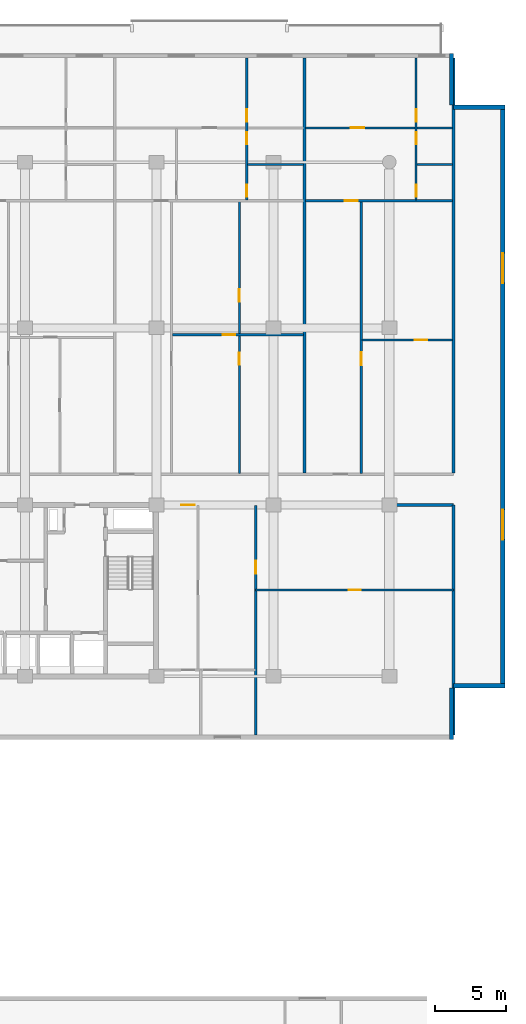
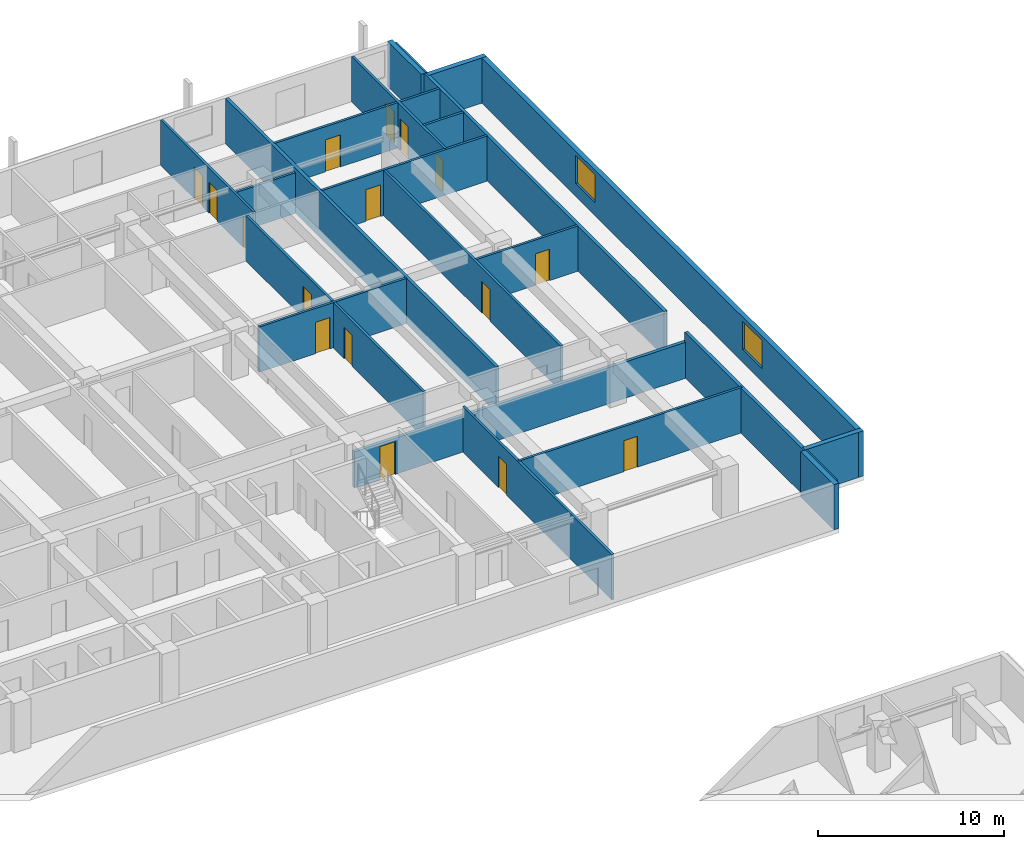
# One storey, part 17 of 23: 21 walls, 16 doors, 2 windows, 18 openings.
"""IFC4 building model written with IfcOpenShell, lengths in metres."""

from ifc_helpers import new_model, si_unit, direction, frame, frame_2d, origin, place, context, subcontext, project, spatial, rectangle, extrude, material, layer, layer_set, type_object, element, fill, save


model = new_model("IFC4")

# Units and contexts
model_context = context("Model", 3, precision=1e-05, world=origin(), true_north=direction((0.0, 1.0)))
body_context = subcontext(model_context, "Body", "Model", "MODEL_VIEW")
ifc_project = project(units=[si_unit("LENGTHUNIT", "METRE"), si_unit("AREAUNIT", "SQUARE_METRE"), si_unit("VOLUMEUNIT", "CUBIC_METRE"), si_unit("PLANEANGLEUNIT", "RADIAN"), si_unit("MASSUNIT", "GRAM", prefix="KILO")], contexts=[model_context])

# Site, building, storey
site_placement = place(None, origin())
site = spatial("IfcSite", under=ifc_project, at=site_placement, CompositionType="ELEMENT")
building_placement = place(site_placement, origin())
building = spatial("IfcBuilding", under=site, at=building_placement, Name="Korimba Cascade Residences", CompositionType="ELEMENT")
storey_placement = place(building_placement, frame((0.0, 0.0, 37.0)))
storey = spatial("IfcBuildingStorey", under=building, at=storey_placement, Name="L09", CompositionType="ELEMENT", Elevation=37.0)

# Walls
ifc_material_1 = material(Name="Precast concrete C40/50", Category="concrete")
ifc_layer_1 = layer(ifc_material_1, 0.300048828125)
ifc_layer_set_1 = layer_set([ifc_layer_1], Name="Precast concrete C40/50")
wall_type_1 = type_object("IfcWallType", Name="EW-STONE-300", PredefinedType="STANDARD", material=ifc_layer_set_1)
wall_1_placement = place(storey_placement, frame((132.75, 50.800048828125, 0.0), z_axis=(0.0, 0.0, 1.0), x_axis=(0.0, 1.0, 0.0)))
element("IfcWall", 1, at=wall_1_placement, inside=storey, type_object=wall_type_1, Name="L09 T1 Perimeter Stone Wall E01", PredefinedType="STANDARD", context=body_context, shape_type="SweptSolid", body=[
    extrude(rectangle(XDim=3.599853515625, YDim=0.300048828125, at=frame_2d((1.7998046875, 0.0))), origin(), (0.0, 0.0, 1.0), 2.969970703125),
])
wall_2_placement = place(storey_placement, frame((132.89990234375, 54.550048828125, 0.0), z_axis=(0.0, 0.0, 1.0), x_axis=(1.0, 0.0, 0.0)))
element("IfcWall", 2, at=wall_2_placement, inside=storey, type_object=wall_type_1, Name="L09 T1 Perimeter Stone Wall E02", PredefinedType="STANDARD", context=body_context, shape_type="SweptSolid", body=[
    extrude(rectangle(XDim=3.60009765625, YDim=0.300048828125, at=frame_2d((1.800048828125, 0.0))), origin(), (0.0, 0.0, 1.0), 2.969970703125),
])

# Wall, openings, windows
wall_3_placement = place(storey_placement, frame((136.35009765625, 54.39990234375, 0.0), z_axis=(0.0, 0.0, 1.0), x_axis=(0.0, 1.0, 0.0)))
wall_3 = element("IfcWall", 3, at=wall_3_placement, inside=storey, type_object=wall_type_1, Name="L09 T1 Perimeter Stone Wall E03", PredefinedType="STANDARD", context=body_context, shape_type="SweptSolid", body=[
    extrude(rectangle(XDim=40.800048828125, YDim=0.300048828125, at=frame_2d((20.39990234375, 0.0))), origin(), (0.0, 0.0, 1.0), 2.969970703125),
])
opening_1_placement = place(wall_3_placement, frame((10.3740234375, 0.0, 0.85009765625)))
opening_1 = element("IfcOpeningElement", 4, at=opening_1_placement, cuts=wall_3, Name="Opening W-03", PredefinedType="OPENING", context=body_context, shape_type="SweptSolid", body=[
    extrude(rectangle(XDim=2.10009765625, YDim=1.85009765625, at=frame_2d((1.050048828125, 0.925048828125))), frame((0.0, 0.16015625, 0.0), z_axis=(0.0, -1.0, 0.0), x_axis=(1.0, 0.0, 0.0)), (0.0, 0.0, 1.0), 0.320068359375),
])
opening_2_placement = place(wall_3_placement, frame((28.325927734375, 0.0, 0.85009765625)))
opening_2 = element("IfcOpeningElement", 5, at=opening_2_placement, cuts=wall_3, Name="Opening W-03", PredefinedType="OPENING", context=body_context, shape_type="SweptSolid", body=[
    extrude(rectangle(XDim=2.10009765625, YDim=1.85009765625, at=frame_2d((1.050048828125, 0.925048828125))), frame((0.0, 0.16015625, 0.0), z_axis=(0.0, -1.0, 0.0), x_axis=(1.0, 0.0, 0.0)), (0.0, 0.0, 1.0), 0.320068359375),
])
ifc_material_2 = material(Name="Double-Glazed Aluminium Window", Category="aluminium")
window_type = type_object("IfcWindowType", Name="WIN-CRN-2100", PartitioningType="DOUBLE_PANEL_HORIZONTAL", PredefinedType="WINDOW", material=ifc_material_2)
window_1_placement = place(opening_1_placement, origin())
window_1 = element("IfcWindow", 6, at=window_1_placement, inside=storey, type_object=window_type, Name="L09 T1 End View Window 3.1", OverallHeight=1.85009765625, OverallWidth=2.10009765625, PartitioningType="DOUBLE_PANEL_HORIZONTAL", PredefinedType="WINDOW", context=body_context, shape_type="SweptSolid", body=[
    extrude(rectangle(XDim=2.10009765625, YDim=1.85009765625, at=frame_2d((1.050048828125, 0.925048828125))), frame((0.0, 0.030029296875, 0.0), z_axis=(0.0, -1.0, 0.0), x_axis=(1.0, 0.0, 0.0)), (0.0, 0.0, 1.0), 0.06005859375),
])
fill(opening_1, window_1)
window_2_placement = place(opening_2_placement, origin())
window_2 = element("IfcWindow", 7, at=window_2_placement, inside=storey, type_object=window_type, Name="L09 T1 End View Window 3.2", OverallHeight=1.85009765625, OverallWidth=2.10009765625, PartitioningType="DOUBLE_PANEL_HORIZONTAL", PredefinedType="WINDOW", context=body_context, shape_type="SweptSolid", body=[
    extrude(rectangle(XDim=2.10009765625, YDim=1.85009765625, at=frame_2d((1.050048828125, 0.925048828125))), frame((0.0, 0.030029296875, 0.0), z_axis=(0.0, -1.0, 0.0), x_axis=(1.0, 0.0, 0.0)), (0.0, 0.0, 1.0), 0.06005859375),
])
fill(opening_2, window_2)

# Walls
for number, where, z_axis, x_axis, name in (
    (8, (136.5, 95.050048828125, 0.0), (0.0, 0.0, 1.0), (-1.0, 0.0, 0.0), "L09 T1 Perimeter Stone Wall E04"),
    (9, (132.75, 95.199951171875, 0.0), (0.0, 0.0, 1.0), (0.0, 1.0, 0.0), "L09 T1 Perimeter Stone Wall E05"),
):
    element("IfcWall", number, at=place(storey_placement, frame(where, z_axis=z_axis, x_axis=x_axis)), inside=storey, type_object=wall_type_1, Name=name, PredefinedType="STANDARD", context=body_context, shape_type="SweptSolid", body=[
        extrude(rectangle(XDim=3.60009765625, YDim=0.300048828125, at=frame_2d((1.800048828125, 0.0))), origin(), (0.0, 0.0, 1.0), 2.969970703125),
    ])
ifc_layer_2 = layer(ifc_material_1, 0.199951171875)
ifc_layer_set_2 = layer_set([ifc_layer_2], Name="Precast concrete C40/50")
wall_type_2 = type_object("IfcWallType", Name="WAL-IT-200", PredefinedType="PARTITIONING", material=ifc_layer_set_2)
wall_4_placement = place(storey_placement, frame((132.89990234375, 51.10009765625, 0.0), z_axis=(0.0, 0.0, 1.0), x_axis=(0.0, 1.0, 0.0)))
element("IfcWall", 10, at=wall_4_placement, inside=storey, type_object=wall_type_2, Name="L09 Partition Wall WAL-L09-T1-FE-WR", PredefinedType="PARTITIONING", context=body_context, shape_type="SweptSolid", body=[
    extrude(rectangle(XDim=16.099853515625, YDim=0.199951171875, at=frame_2d((8.0498046875, 0.0))), origin(), (0.0, 0.0, 1.0), 2.969970703125),
])

# Wall, opening, door
wall_5_placement = place(storey_placement, frame((112.25, 67.199951171875, 0.0), z_axis=(0.0, 0.0, 1.0), x_axis=(1.0, 0.0, 0.0)))
wall_5 = element("IfcWall", 11, at=wall_5_placement, inside=storey, type_object=wall_type_2, Name="L09 Partition Wall WAL-L09-T1-FE-N", PredefinedType="PARTITIONING", context=body_context, shape_type="SweptSolid", body=[
    extrude(rectangle(XDim=20.64990234375, YDim=0.199951171875, at=frame_2d((10.324951171875, 0.0))), origin(), (0.0, 0.0, 1.0), 2.3701171875),
])
opening_3_placement = place(wall_5_placement, frame((1.580078125, 0.0, 0.0)))
opening_3 = element("IfcOpeningElement", 12, at=opening_3_placement, cuts=wall_5, Name="Opening D-UN1", PredefinedType="OPENING", context=body_context, shape_type="SweptSolid", body=[
    extrude(rectangle(XDim=0.949951171875, YDim=2.14990234375, at=frame_2d((0.47509765625, 1.074951171875))), frame((0.0, 0.10986328125, 0.0), z_axis=(0.0, -1.0, 0.0), x_axis=(1.0, 0.0, 0.0)), (0.0, 0.0, 1.0), 0.219970703125),
])
ifc_material_3 = material(Name="Fire-Rated Hardwood Apartment Entrance Door", Category="wood")
door_type_1 = type_object("IfcDoorType", Name="DR-FD60-950", OperationType="NOTDEFINED", PredefinedType="DOOR", material=ifc_material_3)
door_1_placement = place(opening_3_placement, origin())
door_1 = element("IfcDoor", 13, at=door_1_placement, inside=storey, type_object=door_type_1, Name="L09-T1-FE Entrance Door", OperationType="SINGLE_SWING_LEFT", OverallHeight=2.14990234375, OverallWidth=0.949951171875, PredefinedType="DOOR", context=body_context, shape_type="SweptSolid", body=[
    extrude(rectangle(XDim=0.949951171875, YDim=2.14990234375, at=frame_2d((0.47509765625, 1.074951171875))), frame((0.0, 0.02490234375, 0.0), z_axis=(0.0, -1.0, 0.0), x_axis=(1.0, 0.0, 0.0)), (0.0, 0.0, 1.0), 0.050048828125),
])
fill(opening_3, door_1)

# Walls
for number, where, z_axis, x_axis, name in (
    (14, (132.89990234375, 69.429931640625, 0.0), (0.0, 0.0, 1.0), (0.0, 1.0, 0.0), "L09 Partition Wall WAL-L09-T1-BNDWR"),
    (15, (122.4697265625, 69.429931640625, 0.0), (0.0, 0.0, 1.0), (0.0, 1.0, 0.0), "L09 Partition Wall WAL-L09-T1-DEM-5"),
):
    element("IfcWall", number, at=place(storey_placement, frame(where, z_axis=z_axis, x_axis=x_axis)), inside=storey, type_object=wall_type_2, Name=name, PredefinedType="PARTITIONING", context=body_context, shape_type="SweptSolid", body=[
        extrude(rectangle(XDim=29.070068359375, YDim=0.199951171875, at=frame_2d((14.53515625, 0.0))), origin(), (0.0, 0.0, 1.0), 2.969970703125),
    ])

# Wall, opening, door
ifc_material_4 = material(Name="Insulated Acoustic Stud Partition", Category="gypsum")
ifc_layer_3 = layer(ifc_material_4, 0.14990234375)
ifc_layer_set_3 = layer_set([ifc_layer_3], Name="Insulated Acoustic Stud Partition")
wall_type_3 = type_object("IfcWallType", Name="WAL-PART-150", PredefinedType="PARTITIONING", material=ifc_layer_set_3)
wall_6_placement = place(storey_placement, frame((119.050048828125, 61.25, 0.0), z_axis=(0.0, 0.0, 1.0), x_axis=(1.0, 0.0, 0.0)))
wall_6 = element("IfcWall", 16, at=wall_6_placement, inside=storey, type_object=wall_type_3, Name="L09 Partition Wall WAL-L09-T1-FE-STH", PredefinedType="PARTITIONING", context=body_context, shape_type="SweptSolid", body=[
    extrude(rectangle(XDim=13.849853515625, YDim=0.14990234375, at=frame_2d((6.9248046875, 0.0))), origin(), (0.0, 0.0, 1.0), 2.969970703125),
])
opening_4_placement = place(wall_6_placement, frame((6.5048828125, 0.0, 0.0)))
opening_4 = element("IfcOpeningElement", 17, at=opening_4_placement, cuts=wall_6, Name="Opening D-BT1", PredefinedType="OPENING", context=body_context, shape_type="SweptSolid", body=[
    extrude(rectangle(XDim=0.840087890625, YDim=2.0400390625, at=frame_2d((0.419921875, 1.02001953125))), frame((0.0, 0.0849609375, 0.0), z_axis=(0.0, -1.0, 0.0), x_axis=(1.0, 0.0, 0.0)), (0.0, 0.0, 1.0), 0.169921875),
])
ifc_material_5 = material(Name="Moisture-Resistant Bathroom Timber Door", Category="wood")
door_type_2 = type_object("IfcDoorType", Name="DR-INT-850", OperationType="NOTDEFINED", PredefinedType="DOOR", material=ifc_material_5)
door_2_placement = place(opening_4_placement, origin())
door_2 = element("IfcDoor", 18, at=door_2_placement, inside=storey, type_object=door_type_2, Name="L09-T1-FE Dressing Store Door", OperationType="SINGLE_SWING_RIGHT", OverallHeight=2.0400390625, OverallWidth=0.840087890625, PredefinedType="DOOR", context=body_context, shape_type="SweptSolid", body=[
    extrude(rectangle(XDim=0.840087890625, YDim=2.0400390625, at=frame_2d((0.419921875, 1.02001953125))), frame((0.0, 0.02490234375, 0.0), z_axis=(0.0, -1.0, 0.0), x_axis=(1.0, 0.0, 0.0)), (0.0, 0.0, 1.0), 0.050048828125),
])
fill(opening_4, door_2)

wall_7_placement = place(storey_placement, frame((119.050048828125, 51.10009765625, 0.0), z_axis=(0.0, 0.0, 1.0), x_axis=(0.0, 1.0, 0.0)))
wall_7 = element("IfcWall", 19, at=wall_7_placement, inside=storey, type_object=wall_type_3, Name="L09 Partition Wall WAL-L09-T1-FE-STV", PredefinedType="PARTITIONING", context=body_context, shape_type="SweptSolid", body=[
    extrude(rectangle(XDim=16.0498046875, YDim=0.14990234375, at=frame_2d((8.02490234375, 0.0))), origin(), (0.0, 0.0, 1.0), 2.969970703125),
])
opening_5_placement = place(wall_7_placement, frame((11.300048828125, 0.0, 0.0)))
opening_5 = element("IfcOpeningElement", 20, at=opening_5_placement, cuts=wall_7, Name="Opening D-IN2", PredefinedType="OPENING", context=body_context, shape_type="SweptSolid", body=[
    extrude(rectangle(XDim=0.8798828125, YDim=2.06005859375, at=frame_2d((0.43994140625, 1.030029296875))), frame((0.0, 0.0849609375, 0.0), z_axis=(0.0, -1.0, 0.0), x_axis=(1.0, 0.0, 0.0)), (0.0, 0.0, 1.0), 0.169921875),
])
ifc_material_6 = material(Name="Acoustic Timber Bedroom Door", Category="wood")
door_type_3 = type_object("IfcDoorType", Name="DR-INT-880", OperationType="NOTDEFINED", PredefinedType="DOOR", material=ifc_material_6)
door_3_placement = place(opening_5_placement, origin())
door_3 = element("IfcDoor", 21, at=door_3_placement, inside=storey, type_object=door_type_3, Name="L09-T1-FE Study Door", OperationType="SINGLE_SWING_LEFT", OverallHeight=2.06005859375, OverallWidth=0.8798828125, PredefinedType="DOOR", context=body_context, shape_type="SweptSolid", body=[
    extrude(rectangle(XDim=0.8798828125, YDim=2.06005859375, at=frame_2d((0.43994140625, 1.030029296875))), frame((0.0, 0.02490234375, 0.0), z_axis=(0.0, -1.0, 0.0), x_axis=(1.0, 0.0, 0.0)), (0.0, 0.0, 1.0), 0.050048828125),
])
fill(opening_5, door_3)

# Wall, openings, doors
wall_8_placement = place(storey_placement, frame((117.903564453125, 69.409912109375, 0.0), z_axis=(0.0, 0.0, 1.0), x_axis=(0.0, 1.0, 0.0)))
wall_8 = element("IfcWall", 22, at=wall_8_placement, inside=storey, type_object=wall_type_3, Name="L09 Partition Wall WAL-L09-T1-U05-FMV", PredefinedType="PARTITIONING", context=body_context, shape_type="SweptSolid", body=[
    extrude(rectangle(XDim=19.050048828125, YDim=0.14990234375, at=frame_2d((9.52490234375, 0.0))), origin(), (0.0, 0.0, 1.0), 2.969970703125),
])
opening_6_placement = place(wall_8_placement, frame((7.623291015625, 0.0, 0.0)))
opening_6 = element("IfcOpeningElement", 23, at=opening_6_placement, cuts=wall_8, Name="Opening D-BT1", PredefinedType="OPENING", context=body_context, shape_type="SweptSolid", body=[
    extrude(rectangle(XDim=0.840087890625, YDim=2.0400390625, at=frame_2d((0.419921875, 1.02001953125))), frame((0.0, 0.0849609375, 0.0), z_axis=(0.0, -1.0, 0.0), x_axis=(1.0, 0.0, 0.0)), (0.0, 0.0, 1.0), 0.169921875),
])
opening_7_placement = place(wall_8_placement, frame((12.0, 0.0, 0.0)))
opening_7 = element("IfcOpeningElement", 24, at=opening_7_placement, cuts=wall_8, Name="Opening D-IN2", PredefinedType="OPENING", context=body_context, shape_type="SweptSolid", body=[
    extrude(rectangle(XDim=0.8798828125, YDim=2.06005859375, at=frame_2d((0.43994140625, 1.030029296875))), frame((0.0, 0.0849609375, 0.0), z_axis=(0.0, -1.0, 0.0), x_axis=(1.0, 0.0, 0.0)), (0.0, 0.0, 1.0), 0.169921875),
])
door_4_placement = place(opening_6_placement, origin())
door_4 = element("IfcDoor", 25, at=door_4_placement, inside=storey, type_object=door_type_2, Name="L09-T1-U05 Wardrobe Door", OperationType="SINGLE_SWING_LEFT", OverallHeight=2.0400390625, OverallWidth=0.840087890625, PredefinedType="DOOR", context=body_context, shape_type="SweptSolid", body=[
    extrude(rectangle(XDim=0.840087890625, YDim=2.0400390625, at=frame_2d((0.419921875, 1.02001953125))), frame((0.0, 0.02490234375, 0.0), z_axis=(0.0, -1.0, 0.0), x_axis=(1.0, 0.0, 0.0)), (0.0, 0.0, 1.0), 0.050048828125),
])
fill(opening_6, door_4)
door_5_placement = place(opening_7_placement, origin())
door_5 = element("IfcDoor", 26, at=door_5_placement, inside=storey, type_object=door_type_3, Name="L09-T1-U05 Music Lounge Door", OperationType="SINGLE_SWING_RIGHT", OverallHeight=2.06005859375, OverallWidth=0.8798828125, PredefinedType="DOOR", context=body_context, shape_type="SweptSolid", body=[
    extrude(rectangle(XDim=0.8798828125, YDim=2.06005859375, at=frame_2d((0.43994140625, 1.030029296875))), frame((0.0, 0.02490234375, 0.0), z_axis=(0.0, -1.0, 0.0), x_axis=(1.0, 0.0, 0.0)), (0.0, 0.0, 1.0), 0.050048828125),
])
fill(opening_7, door_5)

# Wall, opening, door
wall_9_placement = place(storey_placement, frame((113.21728515625, 79.114990234375, 0.0), z_axis=(0.0, 0.0, 1.0), x_axis=(1.0, 0.0, 0.0)))
wall_9 = element("IfcWall", 27, at=wall_9_placement, inside=storey, type_object=wall_type_3, Name="L09 Partition Wall WAL-L09-T1-U05-FMH", PredefinedType="PARTITIONING", context=body_context, shape_type="SweptSolid", body=[
    extrude(rectangle(XDim=9.172607421875, YDim=0.14990234375, at=frame_2d((4.58642578125, 0.0))), origin(), (0.0, 0.0, 1.0), 2.969970703125),
])
opening_8_placement = place(wall_9_placement, frame((3.521484375, 0.0, 0.0)))
opening_8 = element("IfcOpeningElement", 28, at=opening_8_placement, cuts=wall_9, Name="Opening D-IN2", PredefinedType="OPENING", context=body_context, shape_type="SweptSolid", body=[
    extrude(rectangle(XDim=0.8798828125, YDim=2.06005859375, at=frame_2d((0.43994140625, 1.030029296875))), frame((0.0, 0.0849609375, 0.0), z_axis=(0.0, -1.0, 0.0), x_axis=(1.0, 0.0, 0.0)), (0.0, 0.0, 1.0), 0.169921875),
])
door_6_placement = place(opening_8_placement, origin())
door_6 = element("IfcDoor", 29, at=door_6_placement, inside=storey, type_object=door_type_3, Name="L09-T1-U05 Library Salon Door", OperationType="SINGLE_SWING_LEFT", OverallHeight=2.06005859375, OverallWidth=0.8798828125, PredefinedType="DOOR", context=body_context, shape_type="SweptSolid", body=[
    extrude(rectangle(XDim=0.8798828125, YDim=2.06005859375, at=frame_2d((0.43994140625, 1.030029296875))), frame((0.0, 0.02490234375, 0.0), z_axis=(0.0, -1.0, 0.0), x_axis=(1.0, 0.0, 0.0)), (0.0, 0.0, 1.0), 0.050048828125),
])
fill(opening_8, door_6)

# Wall
wall_10_placement = place(storey_placement, frame((118.47998046875, 91.0400390625, 0.0), z_axis=(0.0, 0.0, 1.0), x_axis=(1.0, 0.0, 0.0)))
element("IfcWall", 30, at=wall_10_placement, inside=storey, type_object=wall_type_3, Name="L09 Partition Wall WAL-L09-T1-U05-BLDIV", PredefinedType="PARTITIONING", context=body_context, shape_type="SweptSolid", body=[
    extrude(rectangle(XDim=3.909912109375, YDim=0.14990234375, at=frame_2d((1.955078125, 0.0))), origin(), (0.0, 0.0, 1.0), 2.663330078125),
])

# Wall, openings, doors
wall_11_placement = place(storey_placement, frame((118.419921875, 88.5400390625, 0.0), z_axis=(0.0, 0.0, 1.0), x_axis=(0.0, 1.0, 0.0)))
wall_11 = element("IfcWall", 31, at=wall_11_placement, inside=storey, type_object=wall_type_3, Name="L09 Partition Wall WAL-L09-T1-U05-V1", PredefinedType="PARTITIONING", context=body_context, shape_type="SweptSolid", body=[
    extrude(rectangle(XDim=9.9599609375, YDim=0.14990234375, at=frame_2d((4.97998046875, 0.0))), origin(), (0.0, 0.0, 1.0), 2.969970703125),
])
opening_9_placement = place(wall_11_placement, frame((0.239990234375, 0.0, 0.0)))
opening_9 = element("IfcOpeningElement", 32, at=opening_9_placement, cuts=wall_11, Name="Opening D-BT1", PredefinedType="OPENING", context=body_context, shape_type="SweptSolid", body=[
    extrude(rectangle(XDim=0.840087890625, YDim=2.0400390625, at=frame_2d((0.419921875, 1.02001953125))), frame((0.0, 0.0849609375, 0.0), z_axis=(0.0, -1.0, 0.0), x_axis=(1.0, 0.0, 0.0)), (0.0, 0.0, 1.0), 0.169921875),
])
opening_10_placement = place(wall_11_placement, frame((3.919921875, 0.0, 0.0)))
opening_10 = element("IfcOpeningElement", 33, at=opening_10_placement, cuts=wall_11, Name="Opening D-BT1", PredefinedType="OPENING", context=body_context, shape_type="SweptSolid", body=[
    extrude(rectangle(XDim=0.840087890625, YDim=2.0400390625, at=frame_2d((0.419921875, 1.02001953125))), frame((0.0, 0.0849609375, 0.0), z_axis=(0.0, -1.0, 0.0), x_axis=(1.0, 0.0, 0.0)), (0.0, 0.0, 1.0), 0.169921875),
])
opening_11_placement = place(wall_11_placement, frame((5.47998046875, 0.0, 0.0)))
opening_11 = element("IfcOpeningElement", 34, at=opening_11_placement, cuts=wall_11, Name="Opening D-IN2", PredefinedType="OPENING", context=body_context, shape_type="SweptSolid", body=[
    extrude(rectangle(XDim=0.8798828125, YDim=2.06005859375, at=frame_2d((0.43994140625, 1.030029296875))), frame((0.0, 0.0849609375, 0.0), z_axis=(0.0, -1.0, 0.0), x_axis=(1.0, 0.0, 0.0)), (0.0, 0.0, 1.0), 0.169921875),
])
door_7_placement = place(opening_9_placement, origin())
door_7 = element("IfcDoor", 35, at=door_7_placement, inside=storey, type_object=door_type_2, Name="L09-T1-U05 Bathroom Door", OperationType="SINGLE_SWING_RIGHT", OverallHeight=2.0400390625, OverallWidth=0.840087890625, PredefinedType="DOOR", context=body_context, shape_type="SweptSolid", body=[
    extrude(rectangle(XDim=0.840087890625, YDim=2.0400390625, at=frame_2d((0.419921875, 1.02001953125))), frame((0.0, 0.02490234375, 0.0), z_axis=(0.0, -1.0, 0.0), x_axis=(1.0, 0.0, 0.0)), (0.0, 0.0, 1.0), 0.050048828125),
])
fill(opening_9, door_7)
door_8_placement = place(opening_10_placement, origin())
door_8 = element("IfcDoor", 36, at=door_8_placement, inside=storey, type_object=door_type_2, Name="L09-T1-U05 Laundry Door", OperationType="SINGLE_SWING_LEFT", OverallHeight=2.0400390625, OverallWidth=0.840087890625, PredefinedType="DOOR", context=body_context, shape_type="SweptSolid", body=[
    extrude(rectangle(XDim=0.840087890625, YDim=2.0400390625, at=frame_2d((0.419921875, 1.02001953125))), frame((0.0, 0.02490234375, 0.0), z_axis=(0.0, -1.0, 0.0), x_axis=(1.0, 0.0, 0.0)), (0.0, 0.0, 1.0), 0.050048828125),
])
fill(opening_10, door_8)
door_9_placement = place(opening_11_placement, origin())
door_9 = element("IfcDoor", 37, at=door_9_placement, inside=storey, type_object=door_type_3, Name="L09-T1-U05 Bedroom 1 Door", OperationType="SINGLE_SWING_RIGHT", OverallHeight=2.06005859375, OverallWidth=0.8798828125, PredefinedType="DOOR", context=body_context, shape_type="SweptSolid", body=[
    extrude(rectangle(XDim=0.8798828125, YDim=2.06005859375, at=frame_2d((0.43994140625, 1.030029296875))), frame((0.0, 0.02490234375, 0.0), z_axis=(0.0, -1.0, 0.0), x_axis=(1.0, 0.0, 0.0)), (0.0, 0.0, 1.0), 0.050048828125),
])
fill(opening_11, door_9)

# Wall, opening, door
wall_12_placement = place(storey_placement, frame((126.499755859375, 78.7548828125, 0.0), z_axis=(0.0, 0.0, 1.0), x_axis=(1.0, 0.0, 0.0)))
wall_12 = element("IfcWall", 38, at=wall_12_placement, inside=storey, type_object=wall_type_3, Name="L09 Partition Wall WAL-L09-T1-U06-FMH", PredefinedType="PARTITIONING", context=body_context, shape_type="SweptSolid", body=[
    extrude(rectangle(XDim=6.3203125, YDim=0.14990234375, at=frame_2d((3.16015625, 0.0))), origin(), (0.0, 0.0, 1.0), 2.969970703125),
])
opening_12_placement = place(wall_12_placement, frame((3.668212890625, 0.0, 0.0)))
opening_12 = element("IfcOpeningElement", 39, at=opening_12_placement, cuts=wall_12, Name="Opening D-IN2", PredefinedType="OPENING", context=body_context, shape_type="SweptSolid", body=[
    extrude(rectangle(XDim=0.8798828125, YDim=2.06005859375, at=frame_2d((0.43994140625, 1.030029296875))), frame((0.0, 0.0849609375, 0.0), z_axis=(0.0, -1.0, 0.0), x_axis=(1.0, 0.0, 0.0)), (0.0, 0.0, 1.0), 0.169921875),
])
door_10_placement = place(opening_12_placement, origin())
door_10 = element("IfcDoor", 40, at=door_10_placement, inside=storey, type_object=door_type_3, Name="L09-T1-U06 Library Salon Door", OperationType="SINGLE_SWING_LEFT", OverallHeight=2.06005859375, OverallWidth=0.8798828125, PredefinedType="DOOR", context=body_context, shape_type="SweptSolid", body=[
    extrude(rectangle(XDim=0.8798828125, YDim=2.06005859375, at=frame_2d((0.43994140625, 1.030029296875))), frame((0.0, 0.02490234375, 0.0), z_axis=(0.0, -1.0, 0.0), x_axis=(1.0, 0.0, 0.0)), (0.0, 0.0, 1.0), 0.050048828125),
])
fill(opening_12, door_10)

wall_13_placement = place(storey_placement, frame((126.439697265625, 69.409912109375, 0.0), z_axis=(0.0, 0.0, 1.0), x_axis=(0.0, 1.0, 0.0)))
wall_13 = element("IfcWall", 41, at=wall_13_placement, inside=storey, type_object=wall_type_3, Name="L09 Partition Wall WAL-L09-T1-U06-FV", PredefinedType="PARTITIONING", context=body_context, shape_type="SweptSolid", body=[
    extrude(rectangle(XDim=19.050048828125, YDim=0.14990234375, at=frame_2d((9.52490234375, 0.0))), origin(), (0.0, 0.0, 1.0), 2.969970703125),
])
opening_13_placement = place(wall_13_placement, frame((7.585693359375, 0.0, 0.0)))
opening_13 = element("IfcOpeningElement", 42, at=opening_13_placement, cuts=wall_13, Name="Opening D-IN2", PredefinedType="OPENING", context=body_context, shape_type="SweptSolid", body=[
    extrude(rectangle(XDim=0.8798828125, YDim=2.06005859375, at=frame_2d((0.43994140625, 1.030029296875))), frame((0.0, 0.0849609375, 0.0), z_axis=(0.0, -1.0, 0.0), x_axis=(1.0, 0.0, 0.0)), (0.0, 0.0, 1.0), 0.169921875),
])
door_11_placement = place(opening_13_placement, origin())
door_11 = element("IfcDoor", 43, at=door_11_placement, inside=storey, type_object=door_type_3, Name="L09-T1-U06 Media Lounge Door", OperationType="SINGLE_SWING_RIGHT", OverallHeight=2.06005859375, OverallWidth=0.8798828125, PredefinedType="DOOR", context=body_context, shape_type="SweptSolid", body=[
    extrude(rectangle(XDim=0.8798828125, YDim=2.06005859375, at=frame_2d((0.43994140625, 1.030029296875))), frame((0.0, 0.02490234375, 0.0), z_axis=(0.0, -1.0, 0.0), x_axis=(1.0, 0.0, 0.0)), (0.0, 0.0, 1.0), 0.050048828125),
])
fill(opening_13, door_11)

# Wall
wall_14_placement = place(storey_placement, frame((130.340087890625, 91.0400390625, 0.0), z_axis=(0.0, 0.0, 1.0), x_axis=(1.0, 0.0, 0.0)))
element("IfcWall", 44, at=wall_14_placement, inside=storey, type_object=wall_type_3, Name="L09 Partition Wall WAL-L09-T1-U06-BLDIV", PredefinedType="PARTITIONING", context=body_context, shape_type="SweptSolid", body=[
    extrude(rectangle(XDim=2.47998046875, YDim=0.14990234375, at=frame_2d((1.239990234375, 0.0))), origin(), (0.0, 0.0, 1.0), 2.969970703125),
])

# Wall, openings, doors
wall_15_placement = place(storey_placement, frame((130.280029296875, 88.5400390625, 0.0), z_axis=(0.0, 0.0, 1.0), x_axis=(0.0, 1.0, 0.0)))
wall_15 = element("IfcWall", 45, at=wall_15_placement, inside=storey, type_object=wall_type_3, Name="L09 Partition Wall WAL-L09-T1-U06-V1", PredefinedType="PARTITIONING", context=body_context, shape_type="SweptSolid", body=[
    extrude(rectangle(XDim=9.9599609375, YDim=0.14990234375, at=frame_2d((4.97998046875, 0.0))), origin(), (0.0, 0.0, 1.0), 2.969970703125),
])
opening_14_placement = place(wall_15_placement, frame((0.239990234375, 0.0, 0.0)))
opening_14 = element("IfcOpeningElement", 46, at=opening_14_placement, cuts=wall_15, Name="Opening D-BT1", PredefinedType="OPENING", context=body_context, shape_type="SweptSolid", body=[
    extrude(rectangle(XDim=0.840087890625, YDim=2.0400390625, at=frame_2d((0.419921875, 1.02001953125))), frame((0.0, 0.0849609375, 0.0), z_axis=(0.0, -1.0, 0.0), x_axis=(1.0, 0.0, 0.0)), (0.0, 0.0, 1.0), 0.169921875),
])
opening_15_placement = place(wall_15_placement, frame((3.919921875, 0.0, 0.0)))
opening_15 = element("IfcOpeningElement", 47, at=opening_15_placement, cuts=wall_15, Name="Opening D-BT1", PredefinedType="OPENING", context=body_context, shape_type="SweptSolid", body=[
    extrude(rectangle(XDim=0.840087890625, YDim=2.0400390625, at=frame_2d((0.419921875, 1.02001953125))), frame((0.0, 0.0849609375, 0.0), z_axis=(0.0, -1.0, 0.0), x_axis=(1.0, 0.0, 0.0)), (0.0, 0.0, 1.0), 0.169921875),
])
opening_16_placement = place(wall_15_placement, frame((5.47998046875, 0.0, 0.0)))
opening_16 = element("IfcOpeningElement", 48, at=opening_16_placement, cuts=wall_15, Name="Opening D-IN2", PredefinedType="OPENING", context=body_context, shape_type="SweptSolid", body=[
    extrude(rectangle(XDim=0.8798828125, YDim=2.06005859375, at=frame_2d((0.43994140625, 1.030029296875))), frame((0.0, 0.0849609375, 0.0), z_axis=(0.0, -1.0, 0.0), x_axis=(1.0, 0.0, 0.0)), (0.0, 0.0, 1.0), 0.169921875),
])
door_12_placement = place(opening_14_placement, origin())
door_12 = element("IfcDoor", 49, at=door_12_placement, inside=storey, type_object=door_type_2, Name="L09-T1-U06 Bathroom Door", OperationType="SINGLE_SWING_LEFT", OverallHeight=2.0400390625, OverallWidth=0.840087890625, PredefinedType="DOOR", context=body_context, shape_type="SweptSolid", body=[
    extrude(rectangle(XDim=0.840087890625, YDim=2.0400390625, at=frame_2d((0.419921875, 1.02001953125))), frame((0.0, 0.02490234375, 0.0), z_axis=(0.0, -1.0, 0.0), x_axis=(1.0, 0.0, 0.0)), (0.0, 0.0, 1.0), 0.050048828125),
])
fill(opening_14, door_12)
door_13_placement = place(opening_15_placement, origin())
door_13 = element("IfcDoor", 50, at=door_13_placement, inside=storey, type_object=door_type_2, Name="L09-T1-U06 Laundry Door", OperationType="SINGLE_SWING_RIGHT", OverallHeight=2.0400390625, OverallWidth=0.840087890625, PredefinedType="DOOR", context=body_context, shape_type="SweptSolid", body=[
    extrude(rectangle(XDim=0.840087890625, YDim=2.0400390625, at=frame_2d((0.419921875, 1.02001953125))), frame((0.0, 0.02490234375, 0.0), z_axis=(0.0, -1.0, 0.0), x_axis=(1.0, 0.0, 0.0)), (0.0, 0.0, 1.0), 0.050048828125),
])
fill(opening_15, door_13)
door_14_placement = place(opening_16_placement, origin())
door_14 = element("IfcDoor", 51, at=door_14_placement, inside=storey, type_object=door_type_3, Name="L09-T1-U06 Bedroom 1 Door", OperationType="SINGLE_SWING_LEFT", OverallHeight=2.06005859375, OverallWidth=0.8798828125, PredefinedType="DOOR", context=body_context, shape_type="SweptSolid", body=[
    extrude(rectangle(XDim=0.8798828125, YDim=2.06005859375, at=frame_2d((0.43994140625, 1.030029296875))), frame((0.0, 0.02490234375, 0.0), z_axis=(0.0, -1.0, 0.0), x_axis=(1.0, 0.0, 0.0)), (0.0, 0.0, 1.0), 0.050048828125),
])
fill(opening_16, door_14)

# Wall, opening, door
wall_16_placement = place(storey_placement, frame((122.5498046875, 88.5, 0.0), z_axis=(0.0, 0.0, 1.0), x_axis=(1.0, 0.0, 0.0)))
wall_16 = element("IfcWall", 52, at=wall_16_placement, inside=storey, type_object=wall_type_3, Name="L09 Partition Wall WAL-L09-T1-U06-MW", PredefinedType="PARTITIONING", context=body_context, shape_type="SweptSolid", body=[
    extrude(rectangle(XDim=10.270263671875, YDim=0.14990234375, at=frame_2d((5.13525390625, 0.0))), origin(), (0.0, 0.0, 1.0), 2.969970703125),
])
opening_17_placement = place(wall_16_placement, frame((2.719970703125, 0.0, 0.0)))
opening_17 = element("IfcOpeningElement", 53, at=opening_17_placement, cuts=wall_16, Name="Opening D-IN1", PredefinedType="OPENING", context=body_context, shape_type="SweptSolid", body=[
    extrude(rectangle(XDim=0.919921875, YDim=2.080078125, at=frame_2d((0.4599609375, 1.0400390625))), frame((0.0, 0.0849609375, 0.0), z_axis=(0.0, -1.0, 0.0), x_axis=(1.0, 0.0, 0.0)), (0.0, 0.0, 1.0), 0.169921875),
])
ifc_material_7 = material(Name="Acoustic Timber Living Door", Category="wood")
door_type_4 = type_object("IfcDoorType", Name="DR-INT-920", OperationType="NOTDEFINED", PredefinedType="DOOR", material=ifc_material_7)
door_15_placement = place(opening_17_placement, origin())
door_15 = element("IfcDoor", 54, at=door_15_placement, inside=storey, type_object=door_type_4, Name="L09-T1-U06 Kitchen Archway Door", OperationType="SINGLE_SWING_RIGHT", OverallHeight=2.080078125, OverallWidth=0.919921875, PredefinedType="DOOR", context=body_context, shape_type="SweptSolid", body=[
    extrude(rectangle(XDim=0.919921875, YDim=2.080078125, at=frame_2d((0.4599609375, 1.0400390625))), frame((0.0, 0.02490234375, 0.0), z_axis=(0.0, -1.0, 0.0), x_axis=(1.0, 0.0, 0.0)), (0.0, 0.0, 1.0), 0.050048828125),
])
fill(opening_17, door_15)

wall_17_placement = place(storey_placement, frame((122.5498046875, 93.60009765625, 0.0), z_axis=(0.0, 0.0, 1.0), x_axis=(1.0, 0.0, 0.0)))
wall_17 = element("IfcWall", 55, at=wall_17_placement, inside=storey, type_object=wall_type_3, Name="L09 Partition Wall WAL-L09-T1-U06-HZ", PredefinedType="PARTITIONING", context=body_context, shape_type="SweptSolid", body=[
    extrude(rectangle(XDim=10.270263671875, YDim=0.14990234375, at=frame_2d((5.13525390625, 0.0))), origin(), (0.0, 0.0, 1.0), 2.969970703125),
])
opening_18_placement = place(wall_17_placement, frame((3.1435546875, 0.0, 0.0)))
opening_18 = element("IfcOpeningElement", 56, at=opening_18_placement, cuts=wall_17, Name="Opening D-IN0", PredefinedType="OPENING", context=body_context, shape_type="SweptSolid", body=[
    extrude(rectangle(XDim=0.93994140625, YDim=2.10009765625, at=frame_2d((0.469970703125, 1.050048828125))), frame((0.0, 0.0849609375, 0.0), z_axis=(0.0, -1.0, 0.0), x_axis=(1.0, 0.0, 0.0)), (0.0, 0.0, 1.0), 0.169921875),
])
ifc_material_8 = material(Name="Acoustic Timber Living Archway Door", Category="wood")
door_type_5 = type_object("IfcDoorType", Name="DR-INT-950", OperationType="NOTDEFINED", PredefinedType="DOOR", material=ifc_material_8)
door_16_placement = place(opening_18_placement, origin())
door_16 = element("IfcDoor", 57, at=door_16_placement, inside=storey, type_object=door_type_5, Name="L09-T1-U06 Living Archway Door", OperationType="SINGLE_SWING_LEFT", OverallHeight=2.10009765625, OverallWidth=0.93994140625, PredefinedType="DOOR", context=body_context, shape_type="SweptSolid", body=[
    extrude(rectangle(XDim=0.93994140625, YDim=2.10009765625, at=frame_2d((0.469970703125, 1.050048828125))), frame((0.0, 0.02490234375, 0.0), z_axis=(0.0, -1.0, 0.0), x_axis=(1.0, 0.0, 0.0)), (0.0, 0.0, 1.0), 0.050048828125),
])
fill(opening_18, door_16)

save(model, "model.ifc")
